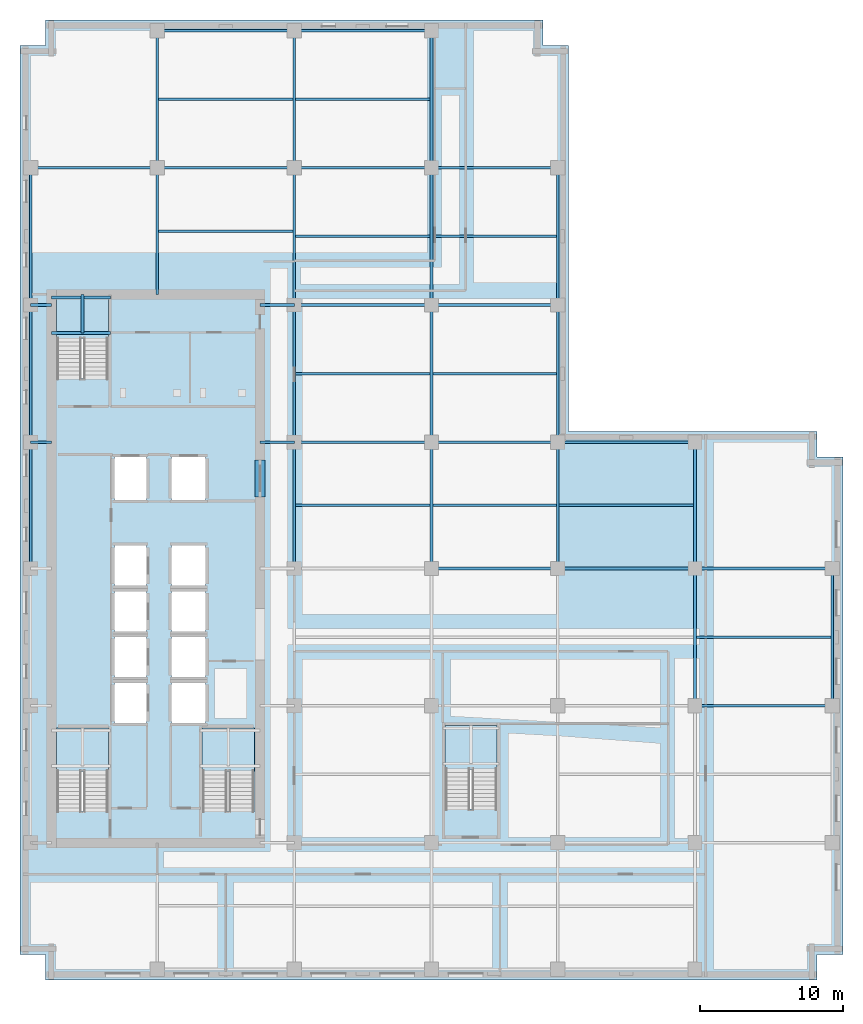
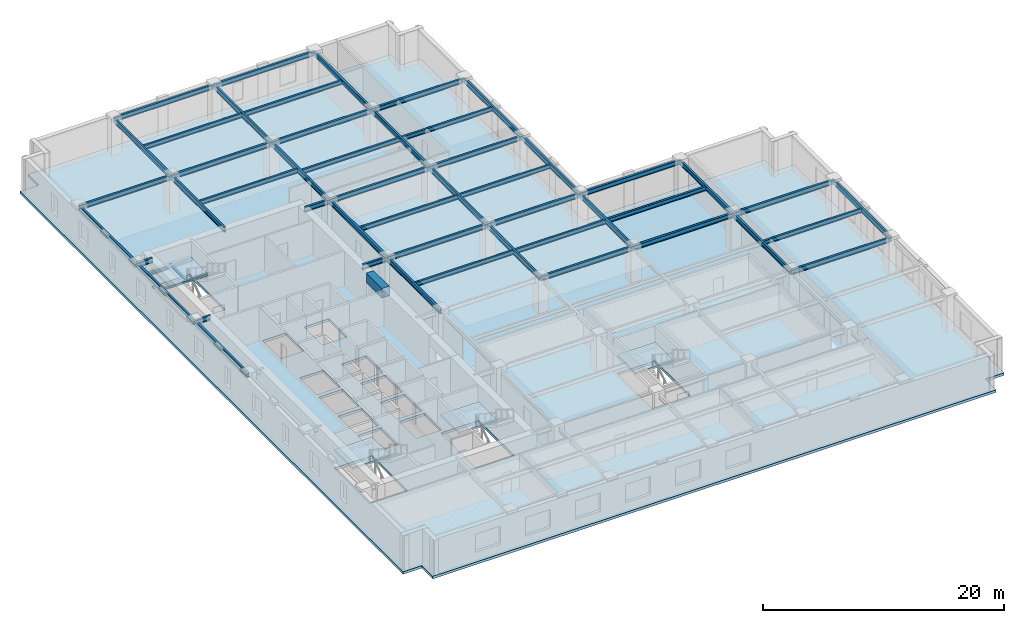
# One storey, part 2 of 12: 53 beams, 5 slabs, 4 elements without a shape of their own.
"""IFC4 building model written with IfcOpenShell, lengths in metres."""

from ifc_helpers import new_model, si_unit, direction, frame, origin, origin_2d, place, context, subcontext, project, spatial, polyline, rectangle, i_section, outline, extrude, material, layer, layer_set, material_profile, profile_set, type_object, element, aggregate, save


model = new_model("IFC4")

# Units and contexts
model_context = context("Model", 3, precision=1e-05, world=origin(), true_north=direction((0.0, 1.0)))
body_context = subcontext(model_context, "Body", "Model", "MODEL_VIEW")
ifc_project = project(units=[si_unit("LENGTHUNIT", "METRE"), si_unit("AREAUNIT", "SQUARE_METRE"), si_unit("VOLUMEUNIT", "CUBIC_METRE"), si_unit("PLANEANGLEUNIT", "RADIAN"), si_unit("MASSUNIT", "GRAM", prefix="KILO")], contexts=[model_context])

# Site, building, storey
site_placement = place(None, origin())
site = spatial("IfcSite", under=ifc_project, at=site_placement, CompositionType="ELEMENT")
building_placement = place(site_placement, origin())
building = spatial("IfcBuilding", under=site, at=building_placement, Name="Norrvale University Quadrangle", CompositionType="ELEMENT")
storey_placement = place(building_placement, frame((0.0, 0.0, 143.199951171875)))
storey = spatial("IfcBuildingStorey", under=building, at=storey_placement, Name="L36", CompositionType="ELEMENT", Elevation=143.199951171875)

# Beams
ifc_material_1 = material(Name="Steel 350W", Category="steel")
ifc_material_profile_1 = material_profile(ifc_material_1, i_section(OverallWidth=0.180908203125, OverallDepth=0.4169921875, WebThickness=0.010986328125, FlangeThickness=0.018310546875, FilletRadius=0.011962890625, at=origin_2d()), Name="Steel 350W")
ifc_profile_set_1 = profile_set([ifc_material_profile_1], Name="Steel 350W")
beam_type_1 = type_object("IfcBeamType", Name="Beam Atrium W410x85", PredefinedType="BEAM", material=ifc_profile_set_1)
beam_1_placement = place(storey_placement, frame((9.697021484375, 61.64990234375, 3.33154296875), z_axis=(1.0, 0.0, 0.0), x_axis=(0.0, 1.0, 0.0)))
element("IfcBeam", 1, at=beam_1_placement, inside=storey, type_object=beam_type_1, Name="Beam Atrium W410x85 BM-L36-J070", PredefinedType="BEAM", context=body_context, shape_type="SweptSolid", body=[
    extrude(i_section(OverallWidth=0.180908203125, OverallDepth=0.4169921875, WebThickness=0.010986328125, FlangeThickness=0.018310546875, FilletRadius=0.011962890625, at=origin_2d()), origin(), (0.0, 0.0, 1.0), 9.406005859375),
])
for number, where, z_axis, x_axis, name in (
    (2, (19.297119140625, 33.22509765625, 3.33154296875), (1.0, 0.0, 0.0), (0.0, 1.0, 0.0), "Beam Atrium W410x85 BM-L36-J074"),
    (3, (19.297119140625, 42.449951171875, 3.33154296875), (1.0, 0.0, 0.0), (0.0, 1.0, 0.0), "Beam Atrium W410x85 BM-L36-J075"),
    (4, (19.297119140625, 52.050048828125, 3.33154296875), (1.0, 0.0, 0.0), (0.0, 1.0, 0.0), "Beam Atrium W410x85 BM-L36-J076"),
    (5, (19.297119140625, 61.64990234375, 3.33154296875), (1.0, 0.0, 0.0), (0.0, 1.0, 0.0), "Beam Atrium W410x85 BM-L36-J077"),
):
    element("IfcBeam", number, at=place(storey_placement, frame(where, z_axis=z_axis, x_axis=x_axis)), inside=storey, type_object=beam_type_1, Name=name, PredefinedType="BEAM", context=body_context, shape_type="SweptSolid", body=[
        extrude(i_section(OverallWidth=0.180908203125, OverallDepth=0.4169921875, WebThickness=0.010986328125, FlangeThickness=0.018310546875, FilletRadius=0.011962890625, at=origin_2d()), origin(), (0.0, 0.0, 1.0), 9.40576171875),
    ])
for number, where, z_axis, x_axis, name in (
    (6, (28.89697265625, 33.22509765625, 3.33154296875), (1.0, 0.0, 0.0), (0.0, 1.0, 0.0), "Beam Atrium W410x85 BM-L36-J080"),
    (7, (28.89697265625, 42.449951171875, 3.33154296875), (1.0, 0.0, 0.0), (0.0, 1.0, 0.0), "Beam Atrium W410x85 BM-L36-J081"),
    (8, (28.89697265625, 52.050048828125, 3.33154296875), (1.0, 0.0, 0.0), (0.0, 1.0, 0.0), "Beam Atrium W410x85 BM-L36-J082"),
):
    element("IfcBeam", number, at=place(storey_placement, frame(where, z_axis=z_axis, x_axis=x_axis)), inside=storey, type_object=beam_type_1, Name=name, PredefinedType="BEAM", context=body_context, shape_type="SweptSolid", body=[
        extrude(i_section(OverallWidth=0.180908203125, OverallDepth=0.4169921875, WebThickness=0.010986328125, FlangeThickness=0.018310546875, FilletRadius=0.011962890625, at=origin_2d()), origin(), (0.0, 0.0, 1.0), 8.656005859375),
    ])
for number, where, z_axis, x_axis, name in (
    (9, (37.7470703125, 33.22509765625, 3.33154296875), (1.0, 0.0, 0.0), (0.0, 1.0, 0.0), "Beam Atrium W410x85 BM-L36-J086"),
    (10, (47.346923828125, 24.0, 3.33154296875), (1.0, 0.0, 0.0), (0.0, 1.0, 0.0), "Beam Atrium W410x85 BM-L36-J088"),
    (11, (9.697021484375, 52.39990234375, 3.33154296875), (1.0, 0.0, 0.0), (0.0, 1.0, 0.0), "Beam Atrium W410x85 BM-L36-JCN092"),
):
    element("IfcBeam", number, at=place(storey_placement, frame(where, z_axis=z_axis, x_axis=x_axis)), inside=storey, type_object=beam_type_1, Name=name, PredefinedType="BEAM", context=body_context, shape_type="SweptSolid", body=[
        extrude(i_section(OverallWidth=0.180908203125, OverallDepth=0.4169921875, WebThickness=0.010986328125, FlangeThickness=0.018310546875, FilletRadius=0.011962890625, at=origin_2d()), origin(), (0.0, 0.0, 1.0), 9.406005859375),
    ])
ifc_material_2 = material(Name="Concrete C80/95", Category="concrete")
ifc_material_profile_2 = material_profile(ifc_material_2, rectangle(XDim=0.699951171875, YDim=0.949951171875, at=origin_2d()), Name="Concrete C80/95")
ifc_profile_set_2 = profile_set([ifc_material_profile_2], Name="Concrete C80/95")
beam_type_2 = type_object("IfcBeamType", Name="Beam Core Link 700x950", PredefinedType="LINTEL", material=ifc_profile_set_2)
beam_2_placement = place(storey_placement, frame((16.800048828125, 33.800048828125, 3.06494140625), z_axis=(0.0, 1.0, 0.0), x_axis=(-1.0, 0.0, 0.0)))
element("IfcBeam", 12, at=beam_2_placement, inside=storey, type_object=beam_type_2, Name="Core Coupling Lintel Beam L36-2", PredefinedType="LINTEL", context=body_context, shape_type="SweptSolid", body=[
    extrude(rectangle(XDim=0.699951171875, YDim=0.949951171875, at=origin_2d()), origin(), (0.0, 0.0, 1.0), 2.599853515625),
])
ifc_material_profile_3 = material_profile(ifc_material_1, i_section(OverallWidth=0.194091796875, OverallDepth=0.468994140625, WebThickness=0.0126953125, FlangeThickness=0.0205078125, FilletRadius=0.012939453125, at=origin_2d()), Name="Steel 350W")
ifc_profile_set_3 = profile_set([ifc_material_profile_3], Name="Steel 350W")
beam_type_3 = type_object("IfcBeamType", Name="Beam Floor W460x106", PredefinedType="BEAM", material=ifc_profile_set_3)
beam_3_placement = place(storey_placement, frame((47.25, 19.199951171875, 3.3056640625), z_axis=(1.0, 0.0, 0.0), x_axis=(0.0, 1.0, 0.0)))
element("IfcBeam", 13, at=beam_3_placement, inside=storey, type_object=beam_type_3, Name="Beam Floor W460x106 BM-L36-GX012", PredefinedType="BEAM", context=body_context, shape_type="SweptSolid", body=[
    extrude(i_section(OverallWidth=0.194091796875, OverallDepth=0.468994140625, WebThickness=0.0126953125, FlangeThickness=0.0205078125, FilletRadius=0.012939453125, at=origin_2d()), origin(), (0.0, 0.0, 1.0), 9.60009765625),
])
beam_4_placement = place(storey_placement, frame((28.800048828125, 28.800048828125, 3.3056640625), z_axis=(1.0, 0.0, 0.0), x_axis=(0.0, 1.0, 0.0)))
element("IfcBeam", 14, at=beam_4_placement, inside=storey, type_object=beam_type_3, Name="Beam Floor W460x106 BM-L36-GX014", PredefinedType="BEAM", context=body_context, shape_type="SweptSolid", body=[
    extrude(i_section(OverallWidth=0.194091796875, OverallDepth=0.468994140625, WebThickness=0.0126953125, FlangeThickness=0.0205078125, FilletRadius=0.012939453125, at=origin_2d()), origin(), (0.0, 0.0, 1.0), 8.849853515625),
])
for number, where, z_axis, x_axis, name in (
    (15, (37.64990234375, 28.800048828125, 3.3056640625), (1.0, 0.0, 0.0), (0.0, 1.0, 0.0), "Beam Floor W460x106 BM-L36-GX015"),
    (16, (47.25, 28.800048828125, 3.3056640625), (1.0, 0.0, 0.0), (0.0, 1.0, 0.0), "Beam Floor W460x106 BM-L36-GX016"),
    (17, (19.199951171875, 37.64990234375, 3.3056640625), (1.0, 0.0, 0.0), (0.0, 1.0, 0.0), "Beam Floor W460x106 BM-L36-GX017"),
):
    element("IfcBeam", number, at=place(storey_placement, frame(where, z_axis=z_axis, x_axis=x_axis)), inside=storey, type_object=beam_type_3, Name=name, PredefinedType="BEAM", context=body_context, shape_type="SweptSolid", body=[
        extrude(i_section(OverallWidth=0.194091796875, OverallDepth=0.468994140625, WebThickness=0.0126953125, FlangeThickness=0.0205078125, FilletRadius=0.012939453125, at=origin_2d()), origin(), (0.0, 0.0, 1.0), 9.60009765625),
    ])
beam_5_placement = place(storey_placement, frame((28.800048828125, 37.64990234375, 3.3056640625), z_axis=(1.0, 0.0, 0.0), x_axis=(0.0, 1.0, 0.0)))
element("IfcBeam", 18, at=beam_5_placement, inside=storey, type_object=beam_type_3, Name="Beam Floor W460x106 BM-L36-GX018", PredefinedType="BEAM", context=body_context, shape_type="SweptSolid", body=[
    extrude(i_section(OverallWidth=0.194091796875, OverallDepth=0.468994140625, WebThickness=0.0126953125, FlangeThickness=0.0205078125, FilletRadius=0.012939453125, at=origin_2d()), origin(), (0.0, 0.0, 1.0), 8.849853515625),
])
for number, where, z_axis, x_axis, name in (
    (19, (37.64990234375, 37.64990234375, 3.3056640625), (1.0, 0.0, 0.0), (0.0, 1.0, 0.0), "Beam Floor W460x106 BM-L36-GX019"),
    (20, (19.199951171875, 47.25, 3.3056640625), (1.0, 0.0, 0.0), (0.0, 1.0, 0.0), "Beam Floor W460x106 BM-L36-GX020"),
):
    element("IfcBeam", number, at=place(storey_placement, frame(where, z_axis=z_axis, x_axis=x_axis)), inside=storey, type_object=beam_type_3, Name=name, PredefinedType="BEAM", context=body_context, shape_type="SweptSolid", body=[
        extrude(i_section(OverallWidth=0.194091796875, OverallDepth=0.468994140625, WebThickness=0.0126953125, FlangeThickness=0.0205078125, FilletRadius=0.012939453125, at=origin_2d()), origin(), (0.0, 0.0, 1.0), 9.60009765625),
    ])
beam_6_placement = place(storey_placement, frame((28.800048828125, 47.25, 3.3056640625), z_axis=(1.0, 0.0, 0.0), x_axis=(0.0, 1.0, 0.0)))
element("IfcBeam", 21, at=beam_6_placement, inside=storey, type_object=beam_type_3, Name="Beam Floor W460x106 BM-L36-GX021", PredefinedType="BEAM", context=body_context, shape_type="SweptSolid", body=[
    extrude(i_section(OverallWidth=0.194091796875, OverallDepth=0.468994140625, WebThickness=0.0126953125, FlangeThickness=0.0205078125, FilletRadius=0.012939453125, at=origin_2d()), origin(), (0.0, 0.0, 1.0), 8.849853515625),
])
beam_7_placement = place(storey_placement, frame((0.75, 56.85009765625, 3.3056640625), z_axis=(1.0, 0.0, 0.0), x_axis=(0.0, 1.0, 0.0)))
element("IfcBeam", 22, at=beam_7_placement, inside=storey, type_object=beam_type_3, Name="Beam Floor W460x106 BM-L36-GX022", PredefinedType="BEAM", context=body_context, shape_type="SweptSolid", body=[
    extrude(i_section(OverallWidth=0.194091796875, OverallDepth=0.468994140625, WebThickness=0.0126953125, FlangeThickness=0.0205078125, FilletRadius=0.012939453125, at=origin_2d()), origin(), (0.0, 0.0, 1.0), 8.85009765625),
])
beam_8_placement = place(storey_placement, frame((9.60009765625, 56.85009765625, 3.3056640625), z_axis=(1.0, 0.0, 0.0), x_axis=(0.0, 1.0, 0.0)))
element("IfcBeam", 23, at=beam_8_placement, inside=storey, type_object=beam_type_3, Name="Beam Floor W460x106 BM-L36-GX023", PredefinedType="BEAM", context=body_context, shape_type="SweptSolid", body=[
    extrude(i_section(OverallWidth=0.194091796875, OverallDepth=0.468994140625, WebThickness=0.0126953125, FlangeThickness=0.0205078125, FilletRadius=0.012939453125, at=origin_2d()), origin(), (0.0, 0.0, 1.0), 9.599853515625),
])
beam_9_placement = place(storey_placement, frame((19.199951171875, 56.85009765625, 3.3056640625), z_axis=(1.0, 0.0, 0.0), x_axis=(0.0, 1.0, 0.0)))
element("IfcBeam", 24, at=beam_9_placement, inside=storey, type_object=beam_type_3, Name="Beam Floor W460x106 BM-L36-GX024", PredefinedType="BEAM", context=body_context, shape_type="SweptSolid", body=[
    extrude(i_section(OverallWidth=0.194091796875, OverallDepth=0.468994140625, WebThickness=0.0126953125, FlangeThickness=0.0205078125, FilletRadius=0.012939453125, at=origin_2d()), origin(), (0.0, 0.0, 1.0), 9.60009765625),
])
beam_10_placement = place(storey_placement, frame((28.800048828125, 56.85009765625, 3.3056640625), z_axis=(1.0, 0.0, 0.0), x_axis=(0.0, 1.0, 0.0)))
element("IfcBeam", 25, at=beam_10_placement, inside=storey, type_object=beam_type_3, Name="Beam Floor W460x106 BM-L36-GX025", PredefinedType="BEAM", context=body_context, shape_type="SweptSolid", body=[
    extrude(i_section(OverallWidth=0.194091796875, OverallDepth=0.468994140625, WebThickness=0.0126953125, FlangeThickness=0.0205078125, FilletRadius=0.012939453125, at=origin_2d()), origin(), (0.0, 0.0, 1.0), 8.849853515625),
])
beam_11_placement = place(storey_placement, frame((9.60009765625, 66.449951171875, 3.3056640625), z_axis=(1.0, 0.0, 0.0), x_axis=(0.0, 1.0, 0.0)))
element("IfcBeam", 26, at=beam_11_placement, inside=storey, type_object=beam_type_3, Name="Beam Floor W460x106 BM-L36-GX026", PredefinedType="BEAM", context=body_context, shape_type="SweptSolid", body=[
    extrude(i_section(OverallWidth=0.194091796875, OverallDepth=0.468994140625, WebThickness=0.0126953125, FlangeThickness=0.0205078125, FilletRadius=0.012939453125, at=origin_2d()), origin(), (0.0, 0.0, 1.0), 9.599853515625),
])
beam_12_placement = place(storey_placement, frame((19.199951171875, 66.449951171875, 3.3056640625), z_axis=(1.0, 0.0, 0.0), x_axis=(0.0, 1.0, 0.0)))
element("IfcBeam", 27, at=beam_12_placement, inside=storey, type_object=beam_type_3, Name="Beam Floor W460x106 BM-L36-GX027", PredefinedType="BEAM", context=body_context, shape_type="SweptSolid", body=[
    extrude(i_section(OverallWidth=0.194091796875, OverallDepth=0.468994140625, WebThickness=0.0126953125, FlangeThickness=0.0205078125, FilletRadius=0.012939453125, at=origin_2d()), origin(), (0.0, 0.0, 1.0), 9.60009765625),
])
beam_13_placement = place(storey_placement, frame((0.75, 28.800048828125, 3.3056640625), z_axis=(0.0, 1.0, 0.0), x_axis=(-1.0, 0.0, 0.0)))
element("IfcBeam", 28, at=beam_13_placement, inside=storey, type_object=beam_type_3, Name="Beam Floor W460x106 BM-L36-GY030", PredefinedType="BEAM", context=body_context, shape_type="SweptSolid", body=[
    extrude(i_section(OverallWidth=0.194091796875, OverallDepth=0.468994140625, WebThickness=0.0126953125, FlangeThickness=0.0205078125, FilletRadius=0.012939453125, at=origin_2d()), origin(), (0.0, 0.0, 1.0), 8.849853515625),
])
for number, where, z_axis, x_axis, name in (
    (29, (0.75, 37.64990234375, 3.3056640625), (0.0, 1.0, 0.0), (-1.0, 0.0, 0.0), "Beam Floor W460x106 BM-L36-GY031"),
    (30, (0.75, 47.25, 3.3056640625), (0.0, 1.0, 0.0), (-1.0, 0.0, 0.0), "Beam Floor W460x106 BM-L36-GY032"),
):
    element("IfcBeam", number, at=place(storey_placement, frame(where, z_axis=z_axis, x_axis=x_axis)), inside=storey, type_object=beam_type_3, Name=name, PredefinedType="BEAM", context=body_context, shape_type="SweptSolid", body=[
        extrude(i_section(OverallWidth=0.194091796875, OverallDepth=0.468994140625, WebThickness=0.0126953125, FlangeThickness=0.0205078125, FilletRadius=0.012939453125, at=origin_2d()), origin(), (0.0, 0.0, 1.0), 9.60009765625),
    ])
beam_14_placement = place(storey_placement, frame((9.60009765625, 56.85009765625, 3.3056640625), z_axis=(0.0, 1.0, 0.0), x_axis=(-1.0, 0.0, 0.0)))
element("IfcBeam", 31, at=beam_14_placement, inside=storey, type_object=beam_type_3, Name="Beam Floor W460x106 BM-L36-GY033", PredefinedType="BEAM", context=body_context, shape_type="SweptSolid", body=[
    extrude(i_section(OverallWidth=0.194091796875, OverallDepth=0.468994140625, WebThickness=0.0126953125, FlangeThickness=0.0205078125, FilletRadius=0.012939453125, at=origin_2d()), origin(), (0.0, 0.0, 1.0), 9.599853515625),
])
beam_15_placement = place(storey_placement, frame((19.199951171875, 28.800048828125, 3.3056640625), z_axis=(0.0, 1.0, 0.0), x_axis=(-1.0, 0.0, 0.0)))
element("IfcBeam", 32, at=beam_15_placement, inside=storey, type_object=beam_type_3, Name="Beam Floor W460x106 BM-L36-GY037", PredefinedType="BEAM", context=body_context, shape_type="SweptSolid", body=[
    extrude(i_section(OverallWidth=0.194091796875, OverallDepth=0.468994140625, WebThickness=0.0126953125, FlangeThickness=0.0205078125, FilletRadius=0.012939453125, at=origin_2d()), origin(), (0.0, 0.0, 1.0), 8.849853515625),
])
for number, where, z_axis, x_axis, name in (
    (33, (19.199951171875, 37.64990234375, 3.3056640625), (0.0, 1.0, 0.0), (-1.0, 0.0, 0.0), "Beam Floor W460x106 BM-L36-GY038"),
    (34, (19.199951171875, 47.25, 3.3056640625), (0.0, 1.0, 0.0), (-1.0, 0.0, 0.0), "Beam Floor W460x106 BM-L36-GY039"),
):
    element("IfcBeam", number, at=place(storey_placement, frame(where, z_axis=z_axis, x_axis=x_axis)), inside=storey, type_object=beam_type_3, Name=name, PredefinedType="BEAM", context=body_context, shape_type="SweptSolid", body=[
        extrude(i_section(OverallWidth=0.194091796875, OverallDepth=0.468994140625, WebThickness=0.0126953125, FlangeThickness=0.0205078125, FilletRadius=0.012939453125, at=origin_2d()), origin(), (0.0, 0.0, 1.0), 9.60009765625),
    ])
beam_16_placement = place(storey_placement, frame((19.199951171875, 56.85009765625, 3.3056640625), z_axis=(0.0, 1.0, 0.0), x_axis=(-1.0, 0.0, 0.0)))
element("IfcBeam", 35, at=beam_16_placement, inside=storey, type_object=beam_type_3, Name="Beam Floor W460x106 BM-L36-GY040", PredefinedType="BEAM", context=body_context, shape_type="SweptSolid", body=[
    extrude(i_section(OverallWidth=0.194091796875, OverallDepth=0.468994140625, WebThickness=0.0126953125, FlangeThickness=0.0205078125, FilletRadius=0.012939453125, at=origin_2d()), origin(), (0.0, 0.0, 1.0), 9.599853515625),
])
beam_17_placement = place(storey_placement, frame((28.800048828125, 28.800048828125, 3.3056640625), z_axis=(0.0, 1.0, 0.0), x_axis=(-1.0, 0.0, 0.0)))
element("IfcBeam", 36, at=beam_17_placement, inside=storey, type_object=beam_type_3, Name="Beam Floor W460x106 BM-L36-GY044", PredefinedType="BEAM", context=body_context, shape_type="SweptSolid", body=[
    extrude(i_section(OverallWidth=0.194091796875, OverallDepth=0.468994140625, WebThickness=0.0126953125, FlangeThickness=0.0205078125, FilletRadius=0.012939453125, at=origin_2d()), origin(), (0.0, 0.0, 1.0), 8.849853515625),
])
for number, where, z_axis, x_axis, name in (
    (37, (28.800048828125, 37.64990234375, 3.3056640625), (0.0, 1.0, 0.0), (-1.0, 0.0, 0.0), "Beam Floor W460x106 BM-L36-GY045"),
    (38, (28.800048828125, 47.25, 3.3056640625), (0.0, 1.0, 0.0), (-1.0, 0.0, 0.0), "Beam Floor W460x106 BM-L36-GY046"),
):
    element("IfcBeam", number, at=place(storey_placement, frame(where, z_axis=z_axis, x_axis=x_axis)), inside=storey, type_object=beam_type_3, Name=name, PredefinedType="BEAM", context=body_context, shape_type="SweptSolid", body=[
        extrude(i_section(OverallWidth=0.194091796875, OverallDepth=0.468994140625, WebThickness=0.0126953125, FlangeThickness=0.0205078125, FilletRadius=0.012939453125, at=origin_2d()), origin(), (0.0, 0.0, 1.0), 9.60009765625),
    ])
beam_18_placement = place(storey_placement, frame((28.800048828125, 56.85009765625, 3.3056640625), z_axis=(0.0, 1.0, 0.0), x_axis=(-1.0, 0.0, 0.0)))
element("IfcBeam", 39, at=beam_18_placement, inside=storey, type_object=beam_type_3, Name="Beam Floor W460x106 BM-L36-GY047", PredefinedType="BEAM", context=body_context, shape_type="SweptSolid", body=[
    extrude(i_section(OverallWidth=0.194091796875, OverallDepth=0.468994140625, WebThickness=0.0126953125, FlangeThickness=0.0205078125, FilletRadius=0.012939453125, at=origin_2d()), origin(), (0.0, 0.0, 1.0), 9.599853515625),
])
beam_19_placement = place(storey_placement, frame((37.64990234375, 28.800048828125, 3.3056640625), z_axis=(0.0, 1.0, 0.0), x_axis=(-1.0, 0.0, 0.0)))
element("IfcBeam", 40, at=beam_19_placement, inside=storey, type_object=beam_type_3, Name="Beam Floor W460x106 BM-L36-GY051", PredefinedType="BEAM", context=body_context, shape_type="SweptSolid", body=[
    extrude(i_section(OverallWidth=0.194091796875, OverallDepth=0.468994140625, WebThickness=0.0126953125, FlangeThickness=0.0205078125, FilletRadius=0.012939453125, at=origin_2d()), origin(), (0.0, 0.0, 1.0), 8.849853515625),
])
for number, where, z_axis, x_axis, name in (
    (41, (37.64990234375, 37.64990234375, 3.3056640625), (0.0, 1.0, 0.0), (-1.0, 0.0, 0.0), "Beam Floor W460x106 BM-L36-GY052"),
    (42, (37.64990234375, 47.25, 3.3056640625), (0.0, 1.0, 0.0), (-1.0, 0.0, 0.0), "Beam Floor W460x106 BM-L36-GY053"),
    (43, (47.25, 19.199951171875, 3.3056640625), (0.0, 1.0, 0.0), (-1.0, 0.0, 0.0), "Beam Floor W460x106 BM-L36-GY056"),
):
    element("IfcBeam", number, at=place(storey_placement, frame(where, z_axis=z_axis, x_axis=x_axis)), inside=storey, type_object=beam_type_3, Name=name, PredefinedType="BEAM", context=body_context, shape_type="SweptSolid", body=[
        extrude(i_section(OverallWidth=0.194091796875, OverallDepth=0.468994140625, WebThickness=0.0126953125, FlangeThickness=0.0205078125, FilletRadius=0.012939453125, at=origin_2d()), origin(), (0.0, 0.0, 1.0), 9.60009765625),
    ])
beam_20_placement = place(storey_placement, frame((47.25, 28.800048828125, 3.3056640625), z_axis=(0.0, 1.0, 0.0), x_axis=(-1.0, 0.0, 0.0)))
element("IfcBeam", 44, at=beam_20_placement, inside=storey, type_object=beam_type_3, Name="Beam Floor W460x106 BM-L36-GY057", PredefinedType="BEAM", context=body_context, shape_type="SweptSolid", body=[
    extrude(i_section(OverallWidth=0.194091796875, OverallDepth=0.468994140625, WebThickness=0.0126953125, FlangeThickness=0.0205078125, FilletRadius=0.012939453125, at=origin_2d()), origin(), (0.0, 0.0, 1.0), 8.849853515625),
])
beam_21_placement = place(storey_placement, frame((56.85009765625, 19.199951171875, 3.3056640625), z_axis=(0.0, 1.0, 0.0), x_axis=(-1.0, 0.0, 0.0)))
element("IfcBeam", 45, at=beam_21_placement, inside=storey, type_object=beam_type_3, Name="Beam Floor W460x106 BM-L36-GY059", PredefinedType="BEAM", context=body_context, shape_type="SweptSolid", body=[
    extrude(i_section(OverallWidth=0.194091796875, OverallDepth=0.468994140625, WebThickness=0.0126953125, FlangeThickness=0.0205078125, FilletRadius=0.012939453125, at=origin_2d()), origin(), (0.0, 0.0, 1.0), 9.60009765625),
])
beam_22_placement = place(storey_placement, frame((0.75, 37.64990234375, 3.3056640625), z_axis=(1.0, 0.0, 0.0), x_axis=(0.0, 1.0, 0.0)))
element("IfcBeam", 46, at=beam_22_placement, inside=storey, type_object=beam_type_3, Name="Beam Floor W460x106 BM-L36-GCW066", PredefinedType="BEAM", context=body_context, shape_type="SweptSolid", body=[
    extrude(i_section(OverallWidth=0.194091796875, OverallDepth=0.468994140625, WebThickness=0.0126953125, FlangeThickness=0.0205078125, FilletRadius=0.012939453125, at=origin_2d()), origin(), (0.0, 0.0, 1.0), 1.449951171875),
])
beam_23_placement = place(storey_placement, frame((16.800048828125, 37.64990234375, 3.3056640625), z_axis=(1.0, 0.0, 0.0), x_axis=(0.0, 1.0, 0.0)))
element("IfcBeam", 47, at=beam_23_placement, inside=storey, type_object=beam_type_3, Name="Beam Floor W460x106 BM-L36-GCE067", PredefinedType="BEAM", context=body_context, shape_type="SweptSolid", body=[
    extrude(i_section(OverallWidth=0.194091796875, OverallDepth=0.468994140625, WebThickness=0.0126953125, FlangeThickness=0.0205078125, FilletRadius=0.012939453125, at=origin_2d()), origin(), (0.0, 0.0, 1.0), 2.39990234375),
])
beam_24_placement = place(storey_placement, frame((0.75, 47.25, 3.3056640625), z_axis=(1.0, 0.0, 0.0), x_axis=(0.0, 1.0, 0.0)))
element("IfcBeam", 48, at=beam_24_placement, inside=storey, type_object=beam_type_3, Name="Beam Floor W460x106 BM-L36-GCW068", PredefinedType="BEAM", context=body_context, shape_type="SweptSolid", body=[
    extrude(i_section(OverallWidth=0.194091796875, OverallDepth=0.468994140625, WebThickness=0.0126953125, FlangeThickness=0.0205078125, FilletRadius=0.012939453125, at=origin_2d()), origin(), (0.0, 0.0, 1.0), 1.449951171875),
])
beam_25_placement = place(storey_placement, frame((16.800048828125, 47.25, 3.3056640625), z_axis=(1.0, 0.0, 0.0), x_axis=(0.0, 1.0, 0.0)))
element("IfcBeam", 49, at=beam_25_placement, inside=storey, type_object=beam_type_3, Name="Beam Floor W460x106 BM-L36-GCE069", PredefinedType="BEAM", context=body_context, shape_type="SweptSolid", body=[
    extrude(i_section(OverallWidth=0.194091796875, OverallDepth=0.468994140625, WebThickness=0.0126953125, FlangeThickness=0.0205078125, FilletRadius=0.012939453125, at=origin_2d()), origin(), (0.0, 0.0, 1.0), 2.39990234375),
])
beam_26_placement = place(storey_placement, frame((9.60009765625, 48.0, 3.3056640625), z_axis=(0.0, 1.0, 0.0), x_axis=(-1.0, 0.0, 0.0)))
element("IfcBeam", 50, at=beam_26_placement, inside=storey, type_object=beam_type_3, Name="Beam Floor W460x106 BM-L36-GCN091", PredefinedType="BEAM", context=body_context, shape_type="SweptSolid", body=[
    extrude(i_section(OverallWidth=0.194091796875, OverallDepth=0.468994140625, WebThickness=0.0126953125, FlangeThickness=0.0205078125, FilletRadius=0.012939453125, at=origin_2d()), origin(), (0.0, 0.0, 1.0), 8.85009765625),
])
ifc_material_profile_4 = material_profile(ifc_material_1, i_section(OverallWidth=0.201904296875, OverallDepth=0.2470703125, WebThickness=0.00732421875, FlangeThickness=0.010986328125, FilletRadius=0.011962890625, at=origin_2d()), Name="Steel 350W")
ifc_profile_set_4 = profile_set([ifc_material_profile_4], Name="Steel 350W")
beam_type_4 = type_object("IfcBeamType", Name="Beam Stair W250x49", PredefinedType="BEAM", material=ifc_profile_set_4)
for number, where, z_axis, x_axis, name in (
    (51, (2.199951171875, 45.2900390625, 1.57666015625), (1.0, 0.0, 0.0), (0.0, 1.0, 0.0), "Stair Mid-Landing Front Beam ST-02 L36"),
    (52, (2.199951171875, 47.77001953125, 1.57666015625), (1.0, 0.0, 0.0), (0.0, 1.0, 0.0), "Stair Mid-Landing Rear Beam ST-02 L36"),
):
    element("IfcBeam", number, at=place(storey_placement, frame(where, z_axis=z_axis, x_axis=x_axis)), inside=storey, type_object=beam_type_4, Name=name, PredefinedType="BEAM", context=body_context, shape_type="SweptSolid", body=[
        extrude(i_section(OverallWidth=0.201904296875, OverallDepth=0.2470703125, WebThickness=0.00732421875, FlangeThickness=0.010986328125, FilletRadius=0.011962890625, at=origin_2d()), origin(), (0.0, 0.0, 1.0), 4.14013671875),
    ])
ifc_material_profile_5 = material_profile(ifc_material_1, i_section(OverallWidth=0.202880859375, OverallDepth=0.202880859375, WebThickness=0.007080078125, FlangeThickness=0.010986328125, FilletRadius=0.010009765625, at=origin_2d()), Name="Steel 350W")
ifc_profile_set_5 = profile_set([ifc_material_profile_5], Name="Steel 350W")
beam_type_5 = type_object("IfcBeamType", Name="Beam Trim W200x46", PredefinedType="BEAM", material=ifc_profile_set_5)
beam_27_placement = place(storey_placement, frame((4.375, 45.2900390625, 1.5986328125), z_axis=(0.0, 1.0, 0.0), x_axis=(-1.0, 0.0, 0.0)))
element("IfcBeam", 53, at=beam_27_placement, inside=storey, type_object=beam_type_5, Name="Stair Mid-Landing Cross Beam ST-02 L36", PredefinedType="BEAM", context=body_context, shape_type="SweptSolid", body=[
    extrude(i_section(OverallWidth=0.202880859375, OverallDepth=0.202880859375, WebThickness=0.007080078125, FlangeThickness=0.010986328125, FilletRadius=0.010009765625, at=origin_2d()), origin(), (0.0, 0.0, 1.0), 2.7099609375),
])

# Stair, slab
ifc_material_3 = material(Name="Concrete C40/50", Category="concrete")
stair_type = type_object("IfcStairType", Name="Stair Tower Typ 3800", PredefinedType="TWO_STRAIGHT_RUN_STAIR", material=ifc_material_3)
stair_1_placement = place(storey_placement, origin())
stair_1 = element("IfcStair", 54, at=stair_1_placement, inside=storey, type_object=stair_type, Name="Exit Stair ST-01 L36", PredefinedType="TWO_STRAIGHT_RUN_STAIR")
ifc_layer_1 = layer(ifc_material_3, 0.199951171875, Name="Concrete C40/50")
ifc_layer_set_1 = layer_set([ifc_layer_1], Name="Concrete C40/50")
slab_type_1 = type_object("IfcSlabType", Name="Slab Landing 200", PredefinedType="LANDING", material=ifc_layer_set_1)
slab_1_placement = place(storey_placement, frame((0.0, 0.0, 1.699951171875)))
slab_1 = element("IfcSlab", 55, at=slab_1_placement, type_object=slab_type_1, Name="Exit Stair ST-01 L36 Mid Landing", PredefinedType="LANDING", context=body_context, shape_type="SweptSolid", body=[
    extrude(outline(polyline([(2.550048828125, 14.590087890625), (6.199951171875, 14.590087890625), (6.199951171875, 17.64990234375), (2.550048828125, 17.64990234375), (2.550048828125, 14.590087890625)])), origin(), (0.0, 0.0, 1.0), 0.2001953125),
])
aggregate(stair_1, [slab_1])

stair_2_placement = place(storey_placement, origin())
stair_2 = element("IfcStair", 56, at=stair_2_placement, inside=storey, type_object=stair_type, Name="Exit Stair ST-02 L36", PredefinedType="TWO_STRAIGHT_RUN_STAIR")
slab_2_placement = place(storey_placement, frame((0.0, 0.0, 1.699951171875)))
slab_2 = element("IfcSlab", 57, at=slab_2_placement, type_object=slab_type_1, Name="Exit Stair ST-02 L36 Mid Landing", PredefinedType="LANDING", context=body_context, shape_type="SweptSolid", body=[
    extrude(outline(polyline([(2.550048828125, 44.889892578125), (6.199951171875, 44.889892578125), (6.199951171875, 47.949951171875), (2.550048828125, 47.949951171875), (2.550048828125, 44.889892578125)])), origin(), (0.0, 0.0, 1.0), 0.2001953125),
])
aggregate(stair_2, [slab_2])

stair_3_placement = place(storey_placement, origin())
stair_3 = element("IfcStair", 58, at=stair_3_placement, inside=storey, type_object=stair_type, Name="Exit Stair ST-03 L36", PredefinedType="TWO_STRAIGHT_RUN_STAIR")
slab_3_placement = place(storey_placement, frame((0.0, 0.0, 1.699951171875)))
slab_3 = element("IfcSlab", 59, at=slab_3_placement, type_object=slab_type_1, Name="Exit Stair ST-03 L36 Mid Landing", PredefinedType="LANDING", context=body_context, shape_type="SweptSolid", body=[
    extrude(outline(polyline([(12.75, 14.590087890625), (16.39990234375, 14.590087890625), (16.39990234375, 17.64990234375), (12.75, 17.64990234375), (12.75, 14.590087890625)])), origin(), (0.0, 0.0, 1.0), 0.2001953125),
])
aggregate(stair_3, [slab_3])

stair_4_placement = place(storey_placement, origin())
stair_4 = element("IfcStair", 60, at=stair_4_placement, inside=storey, type_object=stair_type, Name="Exit Stair ST-04 L36", PredefinedType="TWO_STRAIGHT_RUN_STAIR")
slab_4_placement = place(storey_placement, frame((0.0, 0.0, 1.699951171875)))
slab_4 = element("IfcSlab", 61, at=slab_4_placement, type_object=slab_type_1, Name="Exit Stair ST-04 L36 Mid Landing", PredefinedType="LANDING", context=body_context, shape_type="SweptSolid", body=[
    extrude(outline(polyline([(29.75, 14.739990234375), (33.39990234375, 14.739990234375), (33.39990234375, 17.800048828125), (29.75, 17.800048828125), (29.75, 14.739990234375)])), origin(), (0.0, 0.0, 1.0), 0.2001953125),
])
aggregate(stair_4, [slab_4])

# Slab
ifc_layer_2 = layer(ifc_material_3, 0.260009765625, Name="Concrete C40/50")
ifc_layer_set_2 = layer_set([ifc_layer_2], Name="Concrete C40/50")
slab_type_2 = type_object("IfcSlabType", Name="Slab Tower Typ 260", PredefinedType="FLOOR", material=ifc_layer_set_2)
slab_5_placement = place(storey_placement, frame((0.0, 0.0, -0.260009765625)))
element("IfcSlab", 62, at=slab_5_placement, inside=storey, type_object=slab_type_2, Name="Tower L36 Floor Slab", PredefinedType="FLOOR", context=body_context, shape_type="SweptSolid", body=[
    extrude(outline(polyline([(1.800048828125, 0.0), (55.800048828125, 0.0), (55.800048828125, 1.800048828125), (57.60009765625, 1.800048828125), (57.60009765625, 36.60009765625), (55.800048828125, 36.60009765625), (55.800048828125, 38.39990234375), (38.39990234375, 38.39990234375), (38.39990234375, 65.39990234375), (36.60009765625, 65.39990234375), (36.60009765625, 67.199951171875), (1.800048828125, 67.199951171875), (1.800048828125, 65.39990234375), (0.0, 65.39990234375), (0.0, 1.800048828125), (1.800048828125, 1.800048828125), (1.800048828125, 0.0)]), holes=[polyline([(2.550048828125, 11.81005859375), (6.199951171875, 11.81005859375), (6.199951171875, 17.64990234375), (2.550048828125, 17.64990234375), (2.550048828125, 11.81005859375)]), polyline([(2.550048828125, 42.110107421875), (6.199951171875, 42.110107421875), (6.199951171875, 47.949951171875), (2.550048828125, 47.949951171875), (2.550048828125, 42.110107421875)]), polyline([(12.75, 11.81005859375), (16.39990234375, 11.81005859375), (16.39990234375, 17.64990234375), (12.75, 17.64990234375), (12.75, 11.81005859375)]), polyline([(29.75, 11.9599609375), (33.39990234375, 11.9599609375), (33.39990234375, 17.800048828125), (29.75, 17.800048828125), (29.75, 11.9599609375)]), polyline([(6.60009765625, 18.0), (8.85009765625, 18.0), (8.85009765625, 20.800048828125), (6.60009765625, 20.800048828125), (6.60009765625, 18.0)]), polyline([(6.60009765625, 21.199951171875), (8.85009765625, 21.199951171875), (8.85009765625, 24.0), (6.60009765625, 24.0), (6.60009765625, 21.199951171875)]), polyline([(6.60009765625, 24.39990234375), (8.85009765625, 24.39990234375), (8.85009765625, 27.199951171875), (6.60009765625, 27.199951171875), (6.60009765625, 24.39990234375)]), polyline([(6.60009765625, 27.60009765625), (8.85009765625, 27.60009765625), (8.85009765625, 30.39990234375), (6.60009765625, 30.39990234375), (6.60009765625, 27.60009765625)]), polyline([(10.60009765625, 18.0), (13.0, 18.0), (13.0, 20.800048828125), (10.60009765625, 20.800048828125), (10.60009765625, 18.0)]), polyline([(10.60009765625, 21.199951171875), (13.0, 21.199951171875), (13.0, 24.0), (10.60009765625, 24.0), (10.60009765625, 21.199951171875)]), polyline([(10.60009765625, 24.39990234375), (13.0, 24.39990234375), (13.0, 27.199951171875), (10.60009765625, 27.199951171875), (10.60009765625, 24.39990234375)]), polyline([(10.60009765625, 27.60009765625), (13.0, 27.60009765625), (13.0, 30.39990234375), (10.60009765625, 30.39990234375), (10.60009765625, 27.60009765625)]), polyline([(6.60009765625, 33.60009765625), (8.85009765625, 33.60009765625), (8.85009765625, 36.60009765625), (6.60009765625, 36.60009765625), (6.60009765625, 33.60009765625)]), polyline([(10.60009765625, 33.60009765625), (13.0, 33.60009765625), (13.0, 36.60009765625), (10.60009765625, 36.60009765625), (10.60009765625, 33.60009765625)])]), origin(), (0.0, 0.0, 1.0), 0.260009765625),
])

save(model, "model.ifc")
